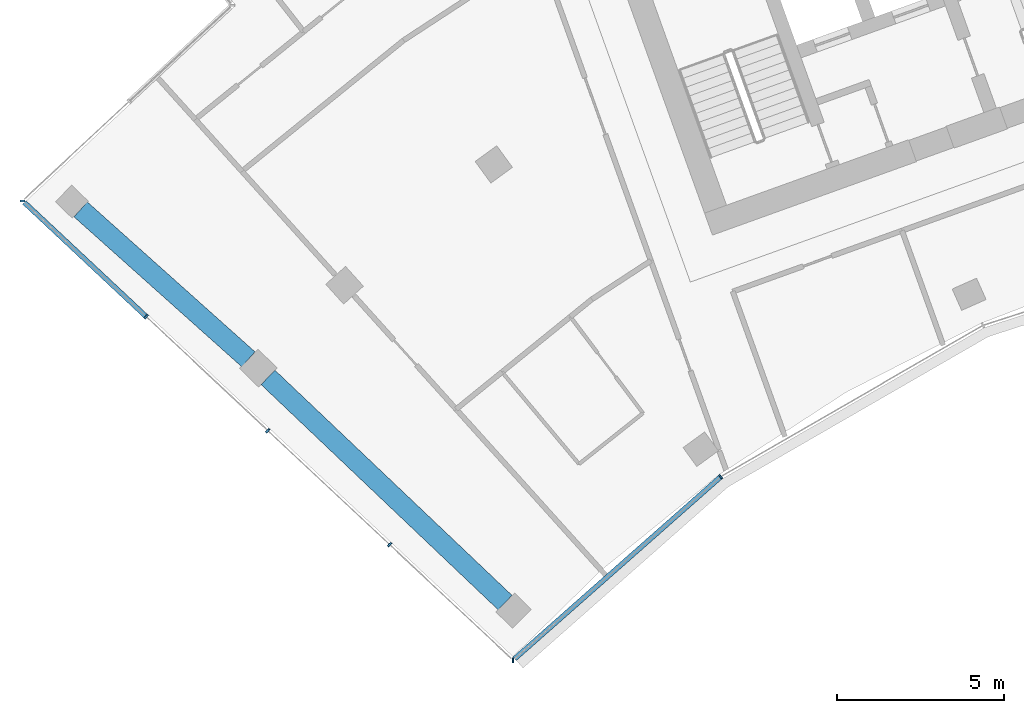
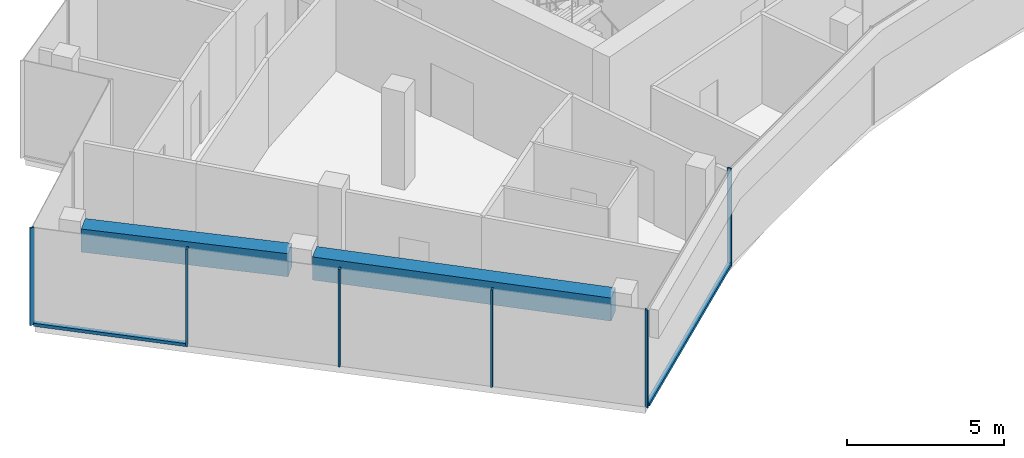
# One storey, part 2 of 18: 8 members, 2 beams, 2 elements without a shape of their own.
"""IFC4 building model written with IfcOpenShell, lengths in metres."""

import ifcopenshell
import ifcopenshell.guid

model = None  # the IFC model being written
_history = None  # IfcOwnerHistory: only IFC2X3 demands one
_inside = {}  # id of a spatial element -> (the spatial element, [elements in it])
_under = {}  # id of a project, library or spatial element -> (it, [spatial elements below it])
_declared = {}  # id of a project -> (the project, [libraries it declares])
_typed = {}  # id of a type object -> (the type object, [elements of that type])
_made_of = {}  # id of a material, layer set ... -> (it, [elements and type objects made of it])


def new_model(schema):
    """Start an empty IFC model of exactly this schema.

    Asked for "IFC4X3", IfcOpenShell would pick the latest addendum, in which some entities
    have other attributes; the version numbers below select the first issue.
    IFC2X3 requires an IfcOwnerHistory on every rooted entity: one is made here for all.
    """
    global model, _history
    if schema == "IFC4X3":
        model = ifcopenshell.file(schema_version=(4, 3, 0, 0))
    else:
        model = ifcopenshell.file(schema=schema)
    _inside.clear()
    _under.clear()
    _declared.clear()
    _typed.clear()
    _made_of.clear()
    _history = None
    if model.schema == "IFC2X3":
        org = make("IfcOrganization", Name="unknown")
        user = make(
            "IfcPersonAndOrganization",
            ThePerson=make("IfcPerson", FamilyName="unknown"),
            TheOrganization=org,
        )
        app = make(
            "IfcApplication",
            ApplicationDeveloper=org,
            Version="unknown",
            ApplicationFullName="unknown",
            ApplicationIdentifier="unknown",
        )
        _history = make(
            "IfcOwnerHistory",
            OwningUser=user,
            OwningApplication=app,
            ChangeAction="ADDED",
            CreationDate=0,
        )
    return model


def make(cls, **values):
    """One entity of the class cls with the attributes given. An attribute that is None is left unset."""
    return model.create_entity(
        cls, **{name: value for name, value in values.items() if value is not None}
    )


def rooted(cls, **values):
    """An entity with a GlobalId (a new one), such as an element, a storey or a relation."""
    return make(cls, GlobalId=ifcopenshell.guid.new(), OwnerHistory=_history, **values)


def si_unit(unit_type, name, prefix=None):
    """IfcSIUnit, for example si_unit("LENGTHUNIT", "METRE", prefix="MILLI")."""
    return make("IfcSIUnit", UnitType=unit_type, Prefix=prefix, Name=name)


def assignment(units):
    """IfcUnitAssignment: the units of a project."""
    return None if units is None else make("IfcUnitAssignment", Units=units)


def point(xyz):
    """IfcCartesianPoint."""
    return None if xyz is None else make("IfcCartesianPoint", Coordinates=xyz)


def direction(xyz):
    """IfcDirection."""
    return None if xyz is None else make("IfcDirection", DirectionRatios=xyz)


def frame(location, z_axis=None, x_axis=None):
    """IfcAxis2Placement3D, a coordinate frame: its origin and axes. An axis left out is left unset."""
    return make(
        "IfcAxis2Placement3D",
        Location=point(location),
        Axis=direction(z_axis),
        RefDirection=direction(x_axis),
    )


def frame_2d(location, x_axis=None):
    """IfcAxis2Placement2D, a coordinate frame in the plane: its origin and x axis."""
    return make(
        "IfcAxis2Placement2D", Location=point(location), RefDirection=direction(x_axis)
    )


def origin():
    """The frame at (0, 0, 0) with its axes left unset."""
    return frame((0.0, 0.0, 0.0))


def origin_2d():
    """The frame at (0, 0) in the plane with its x axis left unset."""
    return frame_2d((0.0, 0.0))


def place(relative_to, where):
    """IfcLocalPlacement: puts the frame where relative to a parent placement (None: the world)."""
    return make(
        "IfcLocalPlacement", PlacementRelTo=relative_to, RelativePlacement=where
    )


def context(
    kind, dimensions, precision=None, world=None, true_north=None, identifier=None
):
    """IfcGeometricRepresentationContext, for example the 3D "Model" context."""
    return make(
        "IfcGeometricRepresentationContext",
        ContextIdentifier=identifier,
        ContextType=kind,
        CoordinateSpaceDimension=dimensions,
        Precision=precision,
        WorldCoordinateSystem=world,
        TrueNorth=true_north,
    )


def subcontext(parent, identifier, kind, view, scale=None):
    """IfcGeometricRepresentationSubContext, for example "Body" below "Model"."""
    return make(
        "IfcGeometricRepresentationSubContext",
        ContextIdentifier=identifier,
        ContextType=kind,
        ParentContext=parent,
        TargetScale=scale,
        TargetView=view,
    )


def project(units=None, contexts=None):
    """IfcProject with its units and contexts."""
    return rooted(
        "IfcProject",
        Name="project",
        RepresentationContexts=contexts,
        UnitsInContext=assignment(units),
    )


def spatial(cls, under=None, at=None, **own):
    """A site, building, storey or space (cls), placed at a placement, below another one or the project."""
    s = rooted(cls, ObjectPlacement=at, **own)
    if under is not None:
        _under.setdefault(under.id(), (under, []))[1].append(s)
    return s


def profile(cls, at=None, kind="AREA", **sizes):
    """A parametric profile (cls). Its sizes go by their IFC names, for example OverallWidth=200.0."""
    return make(cls, ProfileType=kind, Position=at, **sizes)


def rectangle(**sizes):
    """IfcRectangleProfileDef."""
    return profile("IfcRectangleProfileDef", **sizes)


def extrude(swept, where, along, depth):
    """IfcExtrudedAreaSolid: the profile swept, set in the frame where, extruded along a direction by depth."""
    return make(
        "IfcExtrudedAreaSolid",
        SweptArea=swept,
        Position=where,
        ExtrudedDirection=direction(along),
        Depth=depth,
    )


def shape(context_of_items, identifier, shape_type, items):
    """IfcShapeRepresentation: the items that make up one representation, for example the "Body"."""
    return make(
        "IfcShapeRepresentation",
        ContextOfItems=context_of_items,
        RepresentationIdentifier=identifier,
        RepresentationType=shape_type,
        Items=items,
    )


def material(Name=None, Category=None):
    """IfcMaterial."""
    return make("IfcMaterial", Name=Name, Category=Category)


def layer(
    of_material, thickness, ventilated=None, Name=None, Category=None, Priority=None
):
    """IfcMaterialLayer: one layer of a wall or slab, of a material (None: an air gap)."""
    return make(
        "IfcMaterialLayer",
        Material=of_material,
        LayerThickness=thickness,
        IsVentilated=ventilated,
        Name=Name,
        Category=Category,
        Priority=Priority,
    )


def layer_set(layers, Name=None):
    """IfcMaterialLayerSet."""
    return make("IfcMaterialLayerSet", MaterialLayers=layers, LayerSetName=Name)


def material_profile(
    of_material, cross_section, Name=None, Category=None, Priority=None
):
    """IfcMaterialProfile: a cross section and its material."""
    return make(
        "IfcMaterialProfile",
        Name=Name,
        Material=of_material,
        Profile=cross_section,
        Priority=Priority,
        Category=Category,
    )


def profile_set(profiles, Name=None, composite=None):
    """IfcMaterialProfileSet."""
    return make(
        "IfcMaterialProfileSet",
        Name=Name,
        MaterialProfiles=profiles,
        CompositeProfile=composite,
    )


def made_of(thing, what):
    """Note that an element or type object is made of a material, layer set ...; save() writes the relation."""
    if what is not None:
        _made_of.setdefault(what.id(), (what, []))[1].append(thing)
    return thing


def type_object(cls, material=None, **own):
    """A type object (cls), such as IfcWallType, which elements share."""
    return made_of(rooted(cls, **own), material)


def element(
    cls,
    number,
    at=None,
    inside=None,
    cuts=None,
    type_object=None,
    material=None,
    context=None,
    identifier="Body",
    shape_type=None,
    held_by="IfcProductDefinitionShape",
    body=None,
    shapes=None,
    **own,
):
    """One element of the class cls, such as IfcWall. Its Tag is "e" and its number.

    at: its placement. inside: the storey or other place that contains it. cuts: it is an
    opening in that element (IfcRelVoidsElement). A single representation is given by context,
    identifier, shape_type and body (its items); several are given by shapes. held_by: the class
    of the entity that holds the representations. save() writes the other relations.
    """
    e = rooted(cls, Tag="e%d" % number, ObjectPlacement=at, **own)
    if body is not None:
        shapes = [shape(context, identifier, shape_type, body)]
    if shapes is not None:
        e.Representation = make(held_by, Representations=shapes)
    if inside is not None:
        _inside.setdefault(inside.id(), (inside, []))[1].append(e)
    if cuts is not None:
        rooted(
            "IfcRelVoidsElement", RelatingBuildingElement=cuts, RelatedOpeningElement=e
        )
    if type_object is not None:
        _typed.setdefault(type_object.id(), (type_object, []))[1].append(e)
    return made_of(e, material)


def aggregate(whole, parts):
    """IfcRelAggregates: a whole, such as a stair, and the parts it consists of."""
    return rooted("IfcRelAggregates", RelatingObject=whole, RelatedObjects=parts)


def save(model, path):
    """Write the relations noted so far, then the file.

    IfcRelAggregates (storeys below a building ...), IfcRelContainedInSpatialStructure (elements
    in a storey), IfcRelDefinesByType, IfcRelAssociatesMaterial and IfcRelDeclares: one each for
    every whole, place, type object, material and project.
    """
    for whole, parts in _under.values():
        aggregate(whole, parts)
    for where, things in _inside.values():
        rooted(
            "IfcRelContainedInSpatialStructure",
            RelatedElements=things,
            RelatingStructure=where,
        )
    for kind, things in _typed.values():
        rooted("IfcRelDefinesByType", RelatedObjects=things, RelatingType=kind)
    for what, things in _made_of.values():
        rooted("IfcRelAssociatesMaterial", RelatedObjects=things, RelatingMaterial=what)
    for by, libraries in _declared.values():
        rooted("IfcRelDeclares", RelatingContext=by, RelatedDefinitions=libraries)
    model.write(path)


model = new_model("IFC4")

# Units and contexts
model_context = context("Model", 3, precision=1e-05, world=origin(), true_north=direction((0.0, 1.0)))
body_context = subcontext(model_context, "Body", "Model", "MODEL_VIEW")
ifc_project = project(units=[si_unit("LENGTHUNIT", "METRE"), si_unit("AREAUNIT", "SQUARE_METRE"), si_unit("VOLUMEUNIT", "CUBIC_METRE"), si_unit("PLANEANGLEUNIT", "RADIAN"), si_unit("MASSUNIT", "GRAM", prefix="KILO")], contexts=[model_context])

# Site, building, storey
site_placement = place(None, origin())
site = spatial("IfcSite", under=ifc_project, at=site_placement, CompositionType="ELEMENT")
building_placement = place(site_placement, origin())
building = spatial("IfcBuilding", under=site, at=building_placement, Name="Stone Belt Terrace Tower", CompositionType="ELEMENT")
storey_placement = place(building_placement, frame((0.0, 0.0, 265.60009765625)))
storey = spatial("IfcBuildingStorey", under=building, at=storey_placement, Name="L64", CompositionType="ELEMENT", Elevation=265.60009765625)

# Curtain wall, members
ifc_material_1 = material(Name="Aluminium 6063-T6 anodised frame", Category="aluminium")
ifc_layer_1 = layer(ifc_material_1, 0.14990234375)
ifc_layer_set_1 = layer_set([ifc_layer_1], Name="CW-B unitised concave-face curtain wall")
curtain_wall_type_1 = type_object("IfcCurtainWallType", Name="CW-B unitised concave-face curtain wall", PredefinedType="NOTDEFINED", material=ifc_layer_set_1)
curtain_wall_1_placement = place(storey_placement, origin())
curtain_wall_1 = element("IfcCurtainWall", 1, at=curtain_wall_1_placement, inside=storey, type_object=curtain_wall_type_1, Name="CW-B concave face L64", PredefinedType="NOTDEFINED")
ifc_material_profile_1 = material_profile(ifc_material_1, rectangle(XDim=0.14990234375, YDim=0.050048828125, at=origin_2d()), Name="Aluminium 6063-T6 50x150")
ifc_profile_set_1 = profile_set([ifc_material_profile_1], Name="Aluminium 6063-T6 anodised frame")
member_type_1 = type_object("IfcMemberType", Name="CW-B mullion 50 x 150", PredefinedType="MULLION", material=ifc_profile_set_1)
member_1_placement = place(storey_placement, frame((-31.75244140625, 29.633056640625, 0.0), z_axis=(0.0, 0.0, 1.0), x_axis=(0.014681639593, 0.999892218921, 0.0)))
member_1 = element("IfcMember", 2, at=member_1_placement, type_object=member_type_1, Name="CW-B mullion 1", PredefinedType="MULLION", context=body_context, shape_type="SweptSolid", body=[
    extrude(rectangle(XDim=0.14990234375, YDim=0.050048828125, at=origin_2d()), origin(), (0.0, 0.0, 1.0), 3.7998046875),
])
member_2_placement = place(storey_placement, frame((-25.524658203125, 35.131103515625, 0.0), z_axis=(0.0, 0.0, 1.0), x_axis=(-0.583818854632, 0.811883947973, 0.0)))
member_2 = element("IfcMember", 3, at=member_2_placement, type_object=member_type_1, Name="CW-B mullion 2", PredefinedType="MULLION", context=body_context, shape_type="SweptSolid", body=[
    extrude(rectangle(XDim=0.14990234375, YDim=0.050048828125, at=origin_2d()), origin(), (0.0, 0.0, 1.0), 3.7998046875),
])
ifc_material_profile_2 = material_profile(ifc_material_1, rectangle(XDim=0.14990234375, YDim=0.1201171875, at=origin_2d()), Name="Aluminium 6063-T6 150x120")
ifc_profile_set_2 = profile_set([ifc_material_profile_2], Name="Aluminium 6063-T6 anodised frame")
member_type_2 = type_object("IfcMemberType", Name="CW-B transom 120 x 150", PredefinedType="USERDEFINED", material=ifc_profile_set_2)
member_3_placement = place(storey_placement, frame((-31.70068359375, 29.6787109375, 0.059814453125), z_axis=(0.749668527307, 0.661813492735, 0.0), x_axis=(-0.661813492735, 0.749668527307, 0.0)))
member_3 = element("IfcMember", 4, at=member_3_placement, type_object=member_type_2, Name="CW-B transom 1.1", ObjectType="TRANSOM", PredefinedType="USERDEFINED", context=body_context, shape_type="SweptSolid", body=[
    extrude(rectangle(XDim=0.14990234375, YDim=0.1201171875, at=origin_2d()), origin(), (0.0, 0.0, 1.0), 8.2060546875),
])
aggregate(curtain_wall_1, [member_1, member_2, member_3])

ifc_layer_2 = layer(ifc_material_1, 0.14990234375)
ifc_layer_set_2 = layer_set([ifc_layer_2], Name="CW-C stick curtain wall, horn ends and notches")
curtain_wall_type_2 = type_object("IfcCurtainWallType", Name="CW-C stick curtain wall, horn ends and notches", PredefinedType="NOTDEFINED", material=ifc_layer_set_2)
curtain_wall_2_placement = place(storey_placement, origin())
curtain_wall_2 = element("IfcCurtainWall", 5, at=curtain_wall_2_placement, inside=storey, type_object=curtain_wall_type_2, Name="CW-C end face L64", PredefinedType="NOTDEFINED")
ifc_material_profile_3 = material_profile(ifc_material_1, rectangle(XDim=0.14990234375, YDim=0.06005859375, at=origin_2d()), Name="Aluminium 6063-T6 60x150")
ifc_profile_set_3 = profile_set([ifc_material_profile_3], Name="Aluminium 6063-T6 anodised frame")
member_type_3 = type_object("IfcMemberType", Name="CW-C mullion 60 x 150", PredefinedType="MULLION", material=ifc_profile_set_3)
member_4_placement = place(storey_placement, frame((-46.458740234375, 43.405517578125, 0.0), z_axis=(0.0, 0.0, 1.0), x_axis=(0.999999447771, -0.00105093149, 0.0)))
member_4 = element("IfcMember", 6, at=member_4_placement, type_object=member_type_3, Name="CW-C mullion 1", PredefinedType="MULLION", context=body_context, shape_type="SweptSolid", body=[
    extrude(rectangle(XDim=0.14990234375, YDim=0.06005859375, at=origin_2d()), origin(), (0.0, 0.0, 1.0), 3.7998046875),
])
member_5_placement = place(storey_placement, frame((-42.750732421875, 39.932861328125, 0.0), z_axis=(0.0, 0.0, 1.0), x_axis=(0.683549434973, 0.729904219708, 0.0)))
member_5 = element("IfcMember", 7, at=member_5_placement, type_object=member_type_3, Name="CW-C mullion 2", PredefinedType="MULLION", context=body_context, shape_type="SweptSolid", body=[
    extrude(rectangle(XDim=0.14990234375, YDim=0.06005859375, at=origin_2d()), origin(), (0.0, 0.0, 1.0), 3.7998046875),
])
member_6_placement = place(storey_placement, frame((-39.10107421875, 36.51513671875, 0.0), z_axis=(0.0, 0.0, 1.0), x_axis=(0.683549434973, 0.729904219708, 0.0)))
member_6 = element("IfcMember", 8, at=member_6_placement, type_object=member_type_3, Name="CW-C mullion 3", PredefinedType="MULLION", context=body_context, shape_type="SweptSolid", body=[
    extrude(rectangle(XDim=0.14990234375, YDim=0.06005859375, at=origin_2d()), origin(), (0.0, 0.0, 1.0), 3.7998046875),
])
member_7_placement = place(storey_placement, frame((-35.45166015625, 33.097412109375, 0.0), z_axis=(0.0, 0.0, 1.0), x_axis=(0.683549434973, 0.729904219708, 0.0)))
member_7 = element("IfcMember", 9, at=member_7_placement, type_object=member_type_3, Name="CW-C mullion 4", PredefinedType="MULLION", context=body_context, shape_type="SweptSolid", body=[
    extrude(rectangle(XDim=0.14990234375, YDim=0.06005859375, at=origin_2d()), origin(), (0.0, 0.0, 1.0), 3.7998046875),
])
ifc_material_profile_4 = material_profile(ifc_material_1, rectangle(XDim=0.14990234375, YDim=0.1201171875, at=origin_2d()), Name="Aluminium 6063-T6 150x120")
ifc_profile_set_4 = profile_set([ifc_material_profile_4], Name="Aluminium 6063-T6 anodised frame")
member_type_4 = type_object("IfcMemberType", Name="CW-C transom 120 x 150", PredefinedType="USERDEFINED", material=ifc_profile_set_4)
member_8_placement = place(storey_placement, frame((-46.40380859375, 43.35400390625, 0.059814453125), z_axis=(0.729913558916, -0.683539462292, 0.0), x_axis=(0.683539462292, 0.729913558916, 0.0)))
member_8 = element("IfcMember", 10, at=member_8_placement, type_object=member_type_4, Name="CW-C transom 1.1", ObjectType="TRANSOM", PredefinedType="USERDEFINED", context=body_context, shape_type="SweptSolid", body=[
    extrude(rectangle(XDim=0.14990234375, YDim=0.1201171875, at=origin_2d()), origin(), (0.0, 0.0, 1.0), 4.97509765625),
])
aggregate(curtain_wall_2, [member_4, member_5, member_6, member_7, member_8])

# Beams
ifc_material_2 = material(Name="Concrete B60", Category="concrete")
ifc_material_profile_5 = material_profile(ifc_material_2, rectangle(XDim=0.60009765625, YDim=0.89990234375, at=origin_2d()), Name="RC 600x900")
ifc_profile_set_5 = profile_set([ifc_material_profile_5], Name="Concrete B60")
beam_type = type_object("IfcBeamType", Name="Edge beam RC 600x900 B60", PredefinedType="SPANDREL", material=ifc_profile_set_5)
beam_1_placement = place(storey_placement, frame((-31.98876953125, 31.35791015625, 3.02978515625), z_axis=(-0.72502367576, 0.688723942946, 0.0), x_axis=(-0.688723942946, -0.72502367576, 0.0)))
element("IfcBeam", 11, at=beam_1_placement, inside=storey, type_object=beam_type, Name="Edge beam L64 A P to Q", PredefinedType="SPANDREL", context=body_context, shape_type="SweptSolid", body=[
    extrude(rectangle(XDim=0.60009765625, YDim=0.89990234375, at=origin_2d()), origin(), (0.0, 0.0, 1.0), 9.80615234375),
])
beam_2_placement = place(storey_placement, frame((-39.68701171875, 38.65380859375, 3.02978515625), z_axis=(-0.745651125692, 0.666336550666, 0.0), x_axis=(-0.666336550666, -0.745651125692, 0.0)))
element("IfcBeam", 12, at=beam_2_placement, inside=storey, type_object=beam_type, Name="Edge beam L64 A Q to R", PredefinedType="SPANDREL", context=body_context, shape_type="SweptSolid", body=[
    extrude(rectangle(XDim=0.60009765625, YDim=0.89990234375, at=origin_2d()), origin(), (0.0, 0.0, 1.0), 6.744140625),
])

save(model, "model.ifc")
